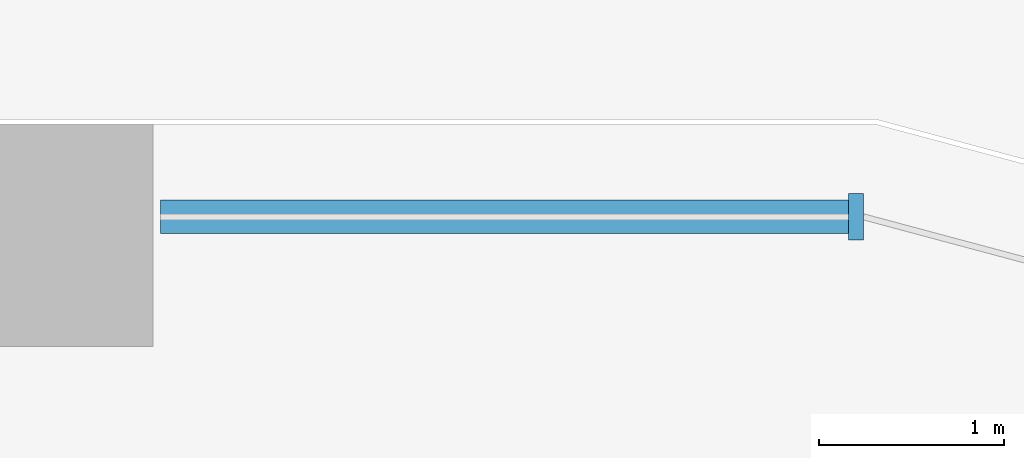
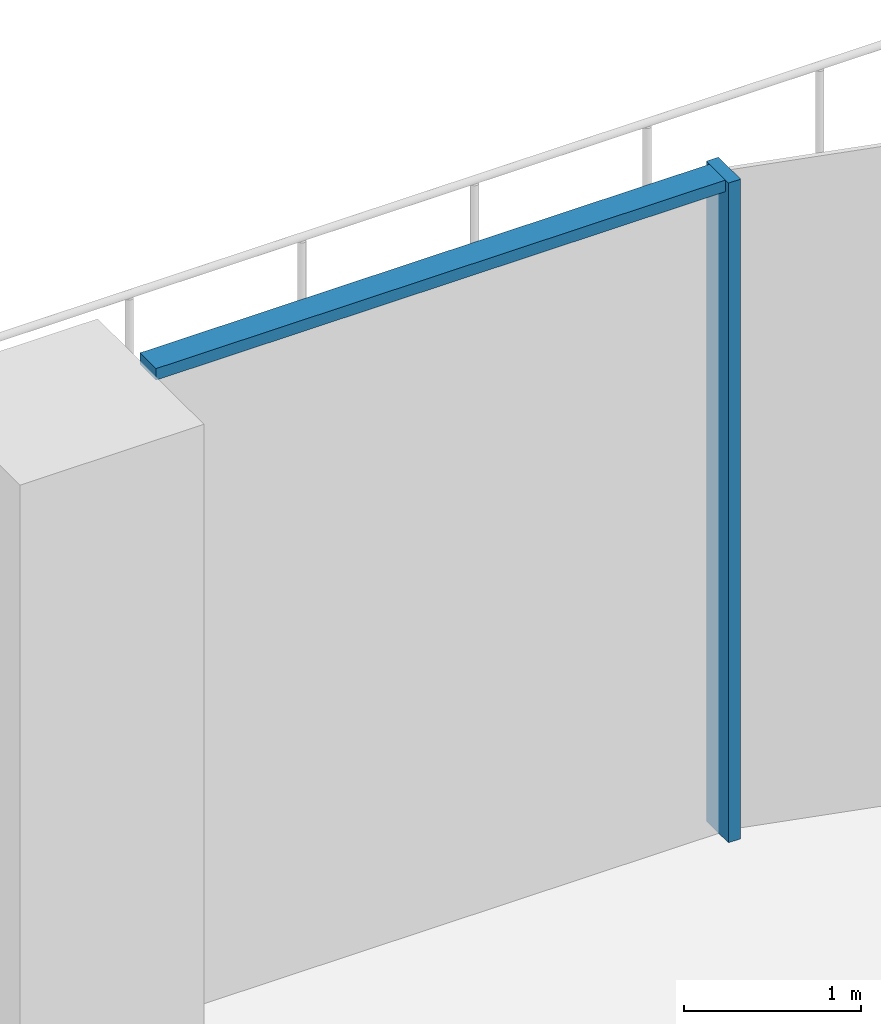
# One storey, part 9 of 29: 2 members, 1 element without a shape of its own.
"""IFC4 building model written with IfcOpenShell, lengths in metres."""

import ifcopenshell
import ifcopenshell.guid

model = None  # the IFC model being written
_history = None  # IfcOwnerHistory: only IFC2X3 demands one
_inside = {}  # id of a spatial element -> (the spatial element, [elements in it])
_under = {}  # id of a project, library or spatial element -> (it, [spatial elements below it])
_declared = {}  # id of a project -> (the project, [libraries it declares])
_typed = {}  # id of a type object -> (the type object, [elements of that type])
_made_of = {}  # id of a material, layer set ... -> (it, [elements and type objects made of it])


def new_model(schema):
    """Start an empty IFC model of exactly this schema.

    Asked for "IFC4X3", IfcOpenShell would pick the latest addendum, in which some entities
    have other attributes; the version numbers below select the first issue.
    IFC2X3 requires an IfcOwnerHistory on every rooted entity: one is made here for all.
    """
    global model, _history
    if schema == "IFC4X3":
        model = ifcopenshell.file(schema_version=(4, 3, 0, 0))
    else:
        model = ifcopenshell.file(schema=schema)
    _inside.clear()
    _under.clear()
    _declared.clear()
    _typed.clear()
    _made_of.clear()
    _history = None
    if model.schema == "IFC2X3":
        org = make("IfcOrganization", Name="unknown")
        user = make(
            "IfcPersonAndOrganization",
            ThePerson=make("IfcPerson", FamilyName="unknown"),
            TheOrganization=org,
        )
        app = make(
            "IfcApplication",
            ApplicationDeveloper=org,
            Version="unknown",
            ApplicationFullName="unknown",
            ApplicationIdentifier="unknown",
        )
        _history = make(
            "IfcOwnerHistory",
            OwningUser=user,
            OwningApplication=app,
            ChangeAction="ADDED",
            CreationDate=0,
        )
    return model


def make(cls, **values):
    """One entity of the class cls with the attributes given. An attribute that is None is left unset."""
    return model.create_entity(
        cls, **{name: value for name, value in values.items() if value is not None}
    )


def rooted(cls, **values):
    """An entity with a GlobalId (a new one), such as an element, a storey or a relation."""
    return make(cls, GlobalId=ifcopenshell.guid.new(), OwnerHistory=_history, **values)


def si_unit(unit_type, name, prefix=None):
    """IfcSIUnit, for example si_unit("LENGTHUNIT", "METRE", prefix="MILLI")."""
    return make("IfcSIUnit", UnitType=unit_type, Prefix=prefix, Name=name)


def assignment(units):
    """IfcUnitAssignment: the units of a project."""
    return None if units is None else make("IfcUnitAssignment", Units=units)


def point(xyz):
    """IfcCartesianPoint."""
    return None if xyz is None else make("IfcCartesianPoint", Coordinates=xyz)


def direction(xyz):
    """IfcDirection."""
    return None if xyz is None else make("IfcDirection", DirectionRatios=xyz)


def frame(location, z_axis=None, x_axis=None):
    """IfcAxis2Placement3D, a coordinate frame: its origin and axes. An axis left out is left unset."""
    return make(
        "IfcAxis2Placement3D",
        Location=point(location),
        Axis=direction(z_axis),
        RefDirection=direction(x_axis),
    )


def origin():
    """The frame at (0, 0, 0) with its axes left unset."""
    return frame((0.0, 0.0, 0.0))


def place(relative_to, where):
    """IfcLocalPlacement: puts the frame where relative to a parent placement (None: the world)."""
    return make(
        "IfcLocalPlacement", PlacementRelTo=relative_to, RelativePlacement=where
    )


def context(
    kind, dimensions, precision=None, world=None, true_north=None, identifier=None
):
    """IfcGeometricRepresentationContext, for example the 3D "Model" context."""
    return make(
        "IfcGeometricRepresentationContext",
        ContextIdentifier=identifier,
        ContextType=kind,
        CoordinateSpaceDimension=dimensions,
        Precision=precision,
        WorldCoordinateSystem=world,
        TrueNorth=true_north,
    )


def subcontext(parent, identifier, kind, view, scale=None):
    """IfcGeometricRepresentationSubContext, for example "Body" below "Model"."""
    return make(
        "IfcGeometricRepresentationSubContext",
        ContextIdentifier=identifier,
        ContextType=kind,
        ParentContext=parent,
        TargetScale=scale,
        TargetView=view,
    )


def project(units=None, contexts=None):
    """IfcProject with its units and contexts."""
    return rooted(
        "IfcProject",
        Name="project",
        RepresentationContexts=contexts,
        UnitsInContext=assignment(units),
    )


def spatial(cls, under=None, at=None, **own):
    """A site, building, storey or space (cls), placed at a placement, below another one or the project."""
    s = rooted(cls, ObjectPlacement=at, **own)
    if under is not None:
        _under.setdefault(under.id(), (under, []))[1].append(s)
    return s


def polyline(points):
    """IfcPolyline through the points."""
    return make("IfcPolyline", Points=[point(p) for p in points])


def outline(outer, holes=None, kind="AREA"):
    """IfcArbitraryClosedProfileDef: a profile drawn as a closed curve; with holes, ...WithVoids."""
    if holes is None:
        return make("IfcArbitraryClosedProfileDef", ProfileType=kind, OuterCurve=outer)
    return make(
        "IfcArbitraryProfileDefWithVoids",
        ProfileType=kind,
        OuterCurve=outer,
        InnerCurves=holes,
    )


def extrude(swept, where, along, depth):
    """IfcExtrudedAreaSolid: the profile swept, set in the frame where, extruded along a direction by depth."""
    return make(
        "IfcExtrudedAreaSolid",
        SweptArea=swept,
        Position=where,
        ExtrudedDirection=direction(along),
        Depth=depth,
    )


def shape(context_of_items, identifier, shape_type, items):
    """IfcShapeRepresentation: the items that make up one representation, for example the "Body"."""
    return make(
        "IfcShapeRepresentation",
        ContextOfItems=context_of_items,
        RepresentationIdentifier=identifier,
        RepresentationType=shape_type,
        Items=items,
    )


def source(mapping_origin, context_of_items, identifier, shape_type, items):
    """IfcRepresentationMap: a shape defined once, which mapped items show again and again."""
    return make(
        "IfcRepresentationMap",
        MappingOrigin=mapping_origin,
        MappedRepresentation=shape(context_of_items, identifier, shape_type, items),
    )


def transform(
    local_origin,
    x_axis=None,
    y_axis=None,
    z_axis=None,
    scale=None,
    scale2=None,
    scale3=None,
    uniform=True,
):
    """IfcCartesianTransformationOperator3D, or its non-uniform kind. x_axis, y_axis, z_axis: its Axis1, 2, 3."""
    if uniform:
        return make(
            "IfcCartesianTransformationOperator3D",
            Axis1=direction(x_axis),
            Axis2=direction(y_axis),
            LocalOrigin=point(local_origin),
            Scale=scale,
            Axis3=direction(z_axis),
        )
    return make(
        "IfcCartesianTransformationOperator3DnonUniform",
        Axis1=direction(x_axis),
        Axis2=direction(y_axis),
        LocalOrigin=point(local_origin),
        Scale=scale,
        Axis3=direction(z_axis),
        Scale2=scale2,
        Scale3=scale3,
    )


def mapped(mapping_source, mapping_target):
    """IfcMappedItem: shows the shape of a source again, moved by a transform."""
    return make(
        "IfcMappedItem", MappingSource=mapping_source, MappingTarget=mapping_target
    )


def material(Name=None, Category=None):
    """IfcMaterial."""
    return make("IfcMaterial", Name=Name, Category=Category)


def made_of(thing, what):
    """Note that an element or type object is made of a material, layer set ...; save() writes the relation."""
    if what is not None:
        _made_of.setdefault(what.id(), (what, []))[1].append(thing)
    return thing


def type_object(cls, material=None, **own):
    """A type object (cls), such as IfcWallType, which elements share."""
    return made_of(rooted(cls, **own), material)


def element(
    cls,
    number,
    at=None,
    inside=None,
    cuts=None,
    type_object=None,
    material=None,
    context=None,
    identifier="Body",
    shape_type=None,
    held_by="IfcProductDefinitionShape",
    body=None,
    shapes=None,
    **own,
):
    """One element of the class cls, such as IfcWall. Its Tag is "e" and its number.

    at: its placement. inside: the storey or other place that contains it. cuts: it is an
    opening in that element (IfcRelVoidsElement). A single representation is given by context,
    identifier, shape_type and body (its items); several are given by shapes. held_by: the class
    of the entity that holds the representations. save() writes the other relations.
    """
    e = rooted(cls, Tag="e%d" % number, ObjectPlacement=at, **own)
    if body is not None:
        shapes = [shape(context, identifier, shape_type, body)]
    if shapes is not None:
        e.Representation = make(held_by, Representations=shapes)
    if inside is not None:
        _inside.setdefault(inside.id(), (inside, []))[1].append(e)
    if cuts is not None:
        rooted(
            "IfcRelVoidsElement", RelatingBuildingElement=cuts, RelatedOpeningElement=e
        )
    if type_object is not None:
        _typed.setdefault(type_object.id(), (type_object, []))[1].append(e)
    return made_of(e, material)


def aggregate(whole, parts):
    """IfcRelAggregates: a whole, such as a stair, and the parts it consists of."""
    return rooted("IfcRelAggregates", RelatingObject=whole, RelatedObjects=parts)


def save(model, path):
    """Write the relations noted so far, then the file.

    IfcRelAggregates (storeys below a building ...), IfcRelContainedInSpatialStructure (elements
    in a storey), IfcRelDefinesByType, IfcRelAssociatesMaterial and IfcRelDeclares: one each for
    every whole, place, type object, material and project.
    """
    for whole, parts in _under.values():
        aggregate(whole, parts)
    for where, things in _inside.values():
        rooted(
            "IfcRelContainedInSpatialStructure",
            RelatedElements=things,
            RelatingStructure=where,
        )
    for kind, things in _typed.values():
        rooted("IfcRelDefinesByType", RelatedObjects=things, RelatingType=kind)
    for what, things in _made_of.values():
        rooted("IfcRelAssociatesMaterial", RelatedObjects=things, RelatingMaterial=what)
    for by, libraries in _declared.values():
        rooted("IfcRelDeclares", RelatingContext=by, RelatedDefinitions=libraries)
    model.write(path)


model = new_model("IFC4")

# Units and contexts
model_context = context("Model", 3, precision=1e-05, world=origin(), true_north=direction((0.0, 1.0)))
body_context = subcontext(model_context, "Body", "Model", "MODEL_VIEW")
ifc_project = project(units=[si_unit("LENGTHUNIT", "METRE"), si_unit("AREAUNIT", "SQUARE_METRE"), si_unit("VOLUMEUNIT", "CUBIC_METRE"), si_unit("PLANEANGLEUNIT", "RADIAN"), si_unit("MASSUNIT", "GRAM", prefix="KILO")], contexts=[model_context])

# Site, building, storey
site_placement = place(None, origin())
site = spatial("IfcSite", under=ifc_project, at=site_placement, CompositionType="ELEMENT")
building_placement = place(site_placement, origin())
building = spatial("IfcBuilding", under=site, at=building_placement, Name="Zarbagh Exchange Tower", CompositionType="ELEMENT")
storey_placement = place(building_placement, frame((0.0, 0.0, 12.0)))
storey = spatial("IfcBuildingStorey", under=building, at=storey_placement, Name="L02", CompositionType="ELEMENT", Elevation=12.0)

# Curtain wall, members
ifc_material_1 = material(Name="Anodised aluminium frame and glazing", Category="aluminium")
curtain_wall_type = type_object("IfcCurtainWallType", Name="CWC Podium garden-wall glazing", PredefinedType="NOTDEFINED", material=ifc_material_1)
curtain_wall_placement = place(storey_placement, origin())
curtain_wall = element("IfcCurtainWall", 1, at=curtain_wall_placement, inside=storey, type_object=curtain_wall_type, Name="CWC122 curtain wall", PredefinedType="NOTDEFINED")
ifc_material_2 = material(Name="Anodised aluminium frame", Category="aluminium")
member_type_1 = type_object("IfcMemberType", Name="TRC Transom, anodised aluminium frame", PredefinedType="USERDEFINED", material=ifc_material_2)
shared_shape_1 = source(origin(), body_context, "Body", "SweptSolid", [
    extrude(outline(polyline([(-0.080078125, -0.090087890625), (0.0, -0.090087890625), (0.0, 0.090087890625), (-0.080078125, 0.090087890625), (-0.080078125, -0.090087890625)])), origin(), (0.0, 0.0, 1.0), 3.714111328125),
])
placement = place(storey_placement, origin())
member_1 = element("IfcMember", 2, at=placement, type_object=member_type_1, Name="CWC122 transom 1.1", ObjectType="TRANSOM", PredefinedType="USERDEFINED", context=body_context, shape_type="MappedRepresentation", body=[
    mapped(shared_shape_1, transform((15.604248046875, 46.75, 4.550048828125), x_axis=(0.0, 0.0, 1.0), y_axis=(0.0, 1.0, 0.0), z_axis=(-1.0, 0.0, 0.0))),
])
member_type_2 = type_object("IfcMemberType", Name="MUC Mullion, anodised aluminium frame", PredefinedType="MULLION", material=ifc_material_2)
shared_shape_2 = source(origin(), body_context, "Body", "SweptSolid", [
    extrude(outline(polyline([(0.0, -0.125), (0.080078125, -0.125), (0.080078125, 0.125), (0.0, 0.125), (0.0, -0.125)])), origin(), (0.0, 0.0, 1.0), 4.550048828125),
])
member_2 = element("IfcMember", 3, at=placement, type_object=member_type_2, Name="CWC122 mullion 1.1", PredefinedType="MULLION", context=body_context, shape_type="MappedRepresentation", body=[
    mapped(shared_shape_2, transform((15.68408203125, 46.75, 0.0), x_axis=(-1.0, 0.0, 0.0), y_axis=(0.0, -1.0, 0.0), z_axis=(0.0, 0.0, 1.0))),
])
aggregate(curtain_wall, [member_2, member_1])

save(model, "model.ifc")
